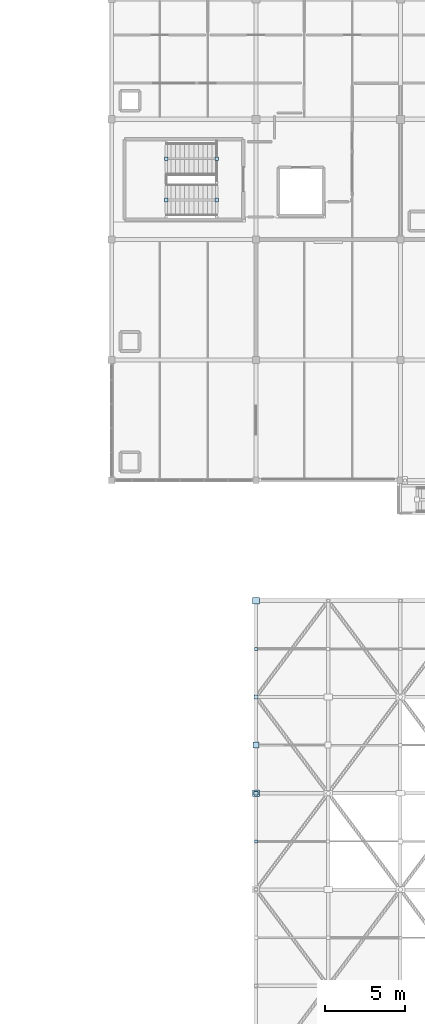
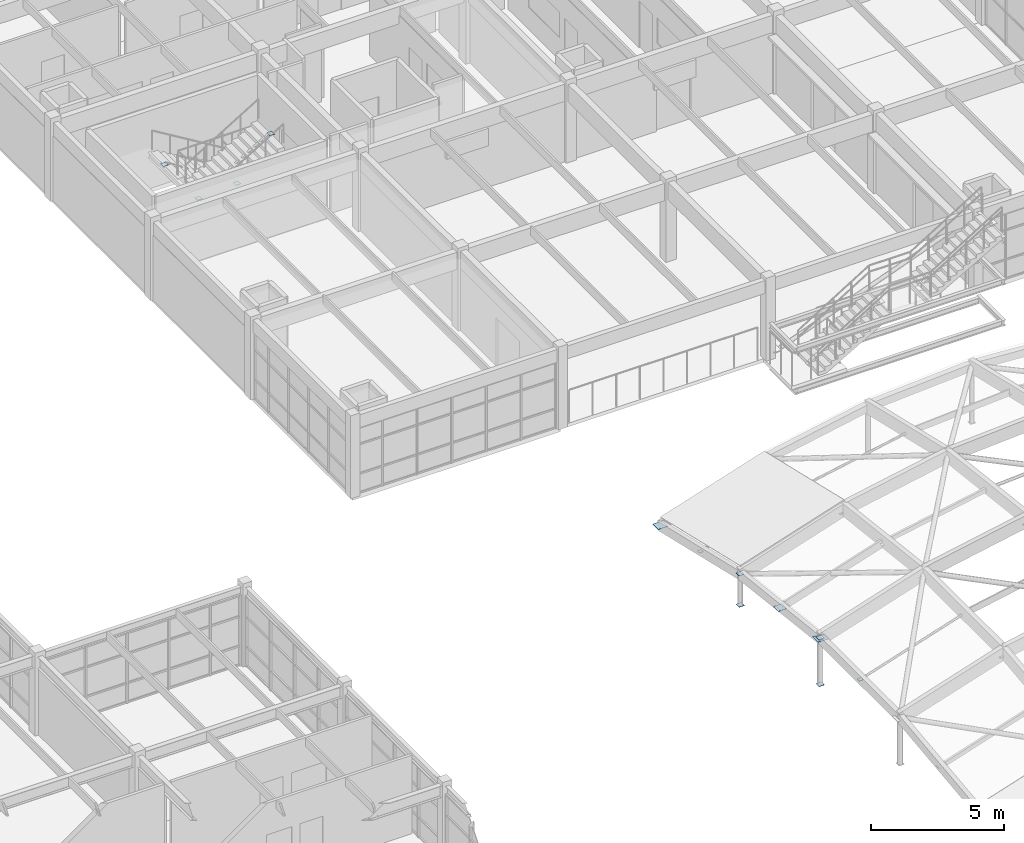
# One storey, part 63 of 81: 13 plates.
"""IFC4 building model written with IfcOpenShell, lengths in metres."""

import ifcopenshell
import ifcopenshell.guid

model = None  # the IFC model being written
_history = None  # IfcOwnerHistory: only IFC2X3 demands one
_inside = {}  # id of a spatial element -> (the spatial element, [elements in it])
_under = {}  # id of a project, library or spatial element -> (it, [spatial elements below it])
_declared = {}  # id of a project -> (the project, [libraries it declares])
_typed = {}  # id of a type object -> (the type object, [elements of that type])
_made_of = {}  # id of a material, layer set ... -> (it, [elements and type objects made of it])


def new_model(schema):
    """Start an empty IFC model of exactly this schema.

    Asked for "IFC4X3", IfcOpenShell would pick the latest addendum, in which some entities
    have other attributes; the version numbers below select the first issue.
    IFC2X3 requires an IfcOwnerHistory on every rooted entity: one is made here for all.
    """
    global model, _history
    if schema == "IFC4X3":
        model = ifcopenshell.file(schema_version=(4, 3, 0, 0))
    else:
        model = ifcopenshell.file(schema=schema)
    _inside.clear()
    _under.clear()
    _declared.clear()
    _typed.clear()
    _made_of.clear()
    _history = None
    if model.schema == "IFC2X3":
        org = make("IfcOrganization", Name="unknown")
        user = make(
            "IfcPersonAndOrganization",
            ThePerson=make("IfcPerson", FamilyName="unknown"),
            TheOrganization=org,
        )
        app = make(
            "IfcApplication",
            ApplicationDeveloper=org,
            Version="unknown",
            ApplicationFullName="unknown",
            ApplicationIdentifier="unknown",
        )
        _history = make(
            "IfcOwnerHistory",
            OwningUser=user,
            OwningApplication=app,
            ChangeAction="ADDED",
            CreationDate=0,
        )
    return model


def make(cls, **values):
    """One entity of the class cls with the attributes given. An attribute that is None is left unset."""
    return model.create_entity(
        cls, **{name: value for name, value in values.items() if value is not None}
    )


def rooted(cls, **values):
    """An entity with a GlobalId (a new one), such as an element, a storey or a relation."""
    return make(cls, GlobalId=ifcopenshell.guid.new(), OwnerHistory=_history, **values)


def si_unit(unit_type, name, prefix=None):
    """IfcSIUnit, for example si_unit("LENGTHUNIT", "METRE", prefix="MILLI")."""
    return make("IfcSIUnit", UnitType=unit_type, Prefix=prefix, Name=name)


def assignment(units):
    """IfcUnitAssignment: the units of a project."""
    return None if units is None else make("IfcUnitAssignment", Units=units)


def point(xyz):
    """IfcCartesianPoint."""
    return None if xyz is None else make("IfcCartesianPoint", Coordinates=xyz)


def direction(xyz):
    """IfcDirection."""
    return None if xyz is None else make("IfcDirection", DirectionRatios=xyz)


def frame(location, z_axis=None, x_axis=None):
    """IfcAxis2Placement3D, a coordinate frame: its origin and axes. An axis left out is left unset."""
    return make(
        "IfcAxis2Placement3D",
        Location=point(location),
        Axis=direction(z_axis),
        RefDirection=direction(x_axis),
    )


def frame_2d(location, x_axis=None):
    """IfcAxis2Placement2D, a coordinate frame in the plane: its origin and x axis."""
    return make(
        "IfcAxis2Placement2D", Location=point(location), RefDirection=direction(x_axis)
    )


def origin():
    """The frame at (0, 0, 0) with its axes left unset."""
    return frame((0.0, 0.0, 0.0))


def origin_2d():
    """The frame at (0, 0) in the plane with its x axis left unset."""
    return frame_2d((0.0, 0.0))


def place(relative_to, where):
    """IfcLocalPlacement: puts the frame where relative to a parent placement (None: the world)."""
    return make(
        "IfcLocalPlacement", PlacementRelTo=relative_to, RelativePlacement=where
    )


def context(
    kind, dimensions, precision=None, world=None, true_north=None, identifier=None
):
    """IfcGeometricRepresentationContext, for example the 3D "Model" context."""
    return make(
        "IfcGeometricRepresentationContext",
        ContextIdentifier=identifier,
        ContextType=kind,
        CoordinateSpaceDimension=dimensions,
        Precision=precision,
        WorldCoordinateSystem=world,
        TrueNorth=true_north,
    )


def subcontext(parent, identifier, kind, view, scale=None):
    """IfcGeometricRepresentationSubContext, for example "Body" below "Model"."""
    return make(
        "IfcGeometricRepresentationSubContext",
        ContextIdentifier=identifier,
        ContextType=kind,
        ParentContext=parent,
        TargetScale=scale,
        TargetView=view,
    )


def project(units=None, contexts=None):
    """IfcProject with its units and contexts."""
    return rooted(
        "IfcProject",
        Name="project",
        RepresentationContexts=contexts,
        UnitsInContext=assignment(units),
    )


def spatial(cls, under=None, at=None, **own):
    """A site, building, storey or space (cls), placed at a placement, below another one or the project."""
    s = rooted(cls, ObjectPlacement=at, **own)
    if under is not None:
        _under.setdefault(under.id(), (under, []))[1].append(s)
    return s


def profile(cls, at=None, kind="AREA", **sizes):
    """A parametric profile (cls). Its sizes go by their IFC names, for example OverallWidth=200.0."""
    return make(cls, ProfileType=kind, Position=at, **sizes)


def rectangle(**sizes):
    """IfcRectangleProfileDef."""
    return profile("IfcRectangleProfileDef", **sizes)


def extrude(swept, where, along, depth):
    """IfcExtrudedAreaSolid: the profile swept, set in the frame where, extruded along a direction by depth."""
    return make(
        "IfcExtrudedAreaSolid",
        SweptArea=swept,
        Position=where,
        ExtrudedDirection=direction(along),
        Depth=depth,
    )


def shape(context_of_items, identifier, shape_type, items):
    """IfcShapeRepresentation: the items that make up one representation, for example the "Body"."""
    return make(
        "IfcShapeRepresentation",
        ContextOfItems=context_of_items,
        RepresentationIdentifier=identifier,
        RepresentationType=shape_type,
        Items=items,
    )


def material(Name=None, Category=None):
    """IfcMaterial."""
    return make("IfcMaterial", Name=Name, Category=Category)


def layer(
    of_material, thickness, ventilated=None, Name=None, Category=None, Priority=None
):
    """IfcMaterialLayer: one layer of a wall or slab, of a material (None: an air gap)."""
    return make(
        "IfcMaterialLayer",
        Material=of_material,
        LayerThickness=thickness,
        IsVentilated=ventilated,
        Name=Name,
        Category=Category,
        Priority=Priority,
    )


def layer_set(layers, Name=None):
    """IfcMaterialLayerSet."""
    return make("IfcMaterialLayerSet", MaterialLayers=layers, LayerSetName=Name)


def made_of(thing, what):
    """Note that an element or type object is made of a material, layer set ...; save() writes the relation."""
    if what is not None:
        _made_of.setdefault(what.id(), (what, []))[1].append(thing)
    return thing


def type_object(cls, material=None, **own):
    """A type object (cls), such as IfcWallType, which elements share."""
    return made_of(rooted(cls, **own), material)


def element(
    cls,
    number,
    at=None,
    inside=None,
    cuts=None,
    type_object=None,
    material=None,
    context=None,
    identifier="Body",
    shape_type=None,
    held_by="IfcProductDefinitionShape",
    body=None,
    shapes=None,
    **own,
):
    """One element of the class cls, such as IfcWall. Its Tag is "e" and its number.

    at: its placement. inside: the storey or other place that contains it. cuts: it is an
    opening in that element (IfcRelVoidsElement). A single representation is given by context,
    identifier, shape_type and body (its items); several are given by shapes. held_by: the class
    of the entity that holds the representations. save() writes the other relations.
    """
    e = rooted(cls, Tag="e%d" % number, ObjectPlacement=at, **own)
    if body is not None:
        shapes = [shape(context, identifier, shape_type, body)]
    if shapes is not None:
        e.Representation = make(held_by, Representations=shapes)
    if inside is not None:
        _inside.setdefault(inside.id(), (inside, []))[1].append(e)
    if cuts is not None:
        rooted(
            "IfcRelVoidsElement", RelatingBuildingElement=cuts, RelatedOpeningElement=e
        )
    if type_object is not None:
        _typed.setdefault(type_object.id(), (type_object, []))[1].append(e)
    return made_of(e, material)


def aggregate(whole, parts):
    """IfcRelAggregates: a whole, such as a stair, and the parts it consists of."""
    return rooted("IfcRelAggregates", RelatingObject=whole, RelatedObjects=parts)


def save(model, path):
    """Write the relations noted so far, then the file.

    IfcRelAggregates (storeys below a building ...), IfcRelContainedInSpatialStructure (elements
    in a storey), IfcRelDefinesByType, IfcRelAssociatesMaterial and IfcRelDeclares: one each for
    every whole, place, type object, material and project.
    """
    for whole, parts in _under.values():
        aggregate(whole, parts)
    for where, things in _inside.values():
        rooted(
            "IfcRelContainedInSpatialStructure",
            RelatedElements=things,
            RelatingStructure=where,
        )
    for kind, things in _typed.values():
        rooted("IfcRelDefinesByType", RelatedObjects=things, RelatingType=kind)
    for what, things in _made_of.values():
        rooted("IfcRelAssociatesMaterial", RelatedObjects=things, RelatingMaterial=what)
    for by, libraries in _declared.values():
        rooted("IfcRelDeclares", RelatingContext=by, RelatedDefinitions=libraries)
    model.write(path)


model = new_model("IFC4")

# Units and contexts
model_context = context("Model", 3, precision=1e-05, world=origin(), true_north=direction((0.0, 1.0)))
body_context = subcontext(model_context, "Body", "Model", "MODEL_VIEW")
ifc_project = project(units=[si_unit("LENGTHUNIT", "METRE"), si_unit("AREAUNIT", "SQUARE_METRE"), si_unit("VOLUMEUNIT", "CUBIC_METRE"), si_unit("PLANEANGLEUNIT", "RADIAN"), si_unit("MASSUNIT", "GRAM", prefix="KILO")], contexts=[model_context])

# Site, building, storey
site_placement = place(None, origin())
site = spatial("IfcSite", under=ifc_project, at=site_placement, CompositionType="ELEMENT")
building_placement = place(site_placement, origin())
building = spatial("IfcBuilding", under=site, at=building_placement, Name="Marnridge Secondary College", CompositionType="ELEMENT")
storey_placement = place(building_placement, frame((0.0, 0.0, 8.5)))
storey = spatial("IfcBuildingStorey", under=building, at=storey_placement, Name="L02", CompositionType="ELEMENT", Elevation=8.5)

# Plates
ifc_material_1 = material(Name="Structural steel plate Grade 350 (AS/NZS 3678, fy = 350 MPa <=12mm, 340 MPa 12-20mm, 330 MPa 20-50mm)", Category="steel")
ifc_layer_1 = layer(ifc_material_1, 0.011962890625)
ifc_layer_set_1 = layer_set([ifc_layer_1], Name="PT-CAP-EXT")
plate_type_1 = type_object("IfcPlateType", Name="PT-CAP-EXT", PredefinedType="SHEET", material=ifc_layer_set_1)
for number, where, z_axis, x_axis, name in (
    (1, (63.0, 18.0, -0.01416015625), (0.0, 0.0, 1.0), (1.0, 0.0, 0.0), "Tube end cap GSP-0067-EC1"),
    (2, (63.0, 18.0, 2.1240234375), (0.0, 0.0, 1.0), (1.0, 0.0, 0.0), "Tube end cap GSP-0067-EC2"),
    (3, (63.0, 24.0, -0.01416015625), (0.0, 0.0, 1.0), (1.0, 0.0, 0.0), "Tube end cap GSP-0068-EC1"),
    (4, (63.0, 24.0, 1.419921875), (0.0, 0.0, 1.0), (1.0, 0.0, 0.0), "Tube end cap GSP-0068-EC2"),
):
    element("IfcPlate", number, at=place(storey_placement, frame(where, z_axis=z_axis, x_axis=x_axis)), inside=storey, type_object=plate_type_1, Name=name, PredefinedType="SHEET", context=body_context, shape_type="SweptSolid", body=[
        extrude(rectangle(XDim=0.239013671875, YDim=0.239013671875, at=origin_2d()), origin(), (0.0, 0.0, 1.0), 0.011962890625),
    ])
for number, where, z_axis, x_axis, name in (
    (5, (63.0, 17.998046875, 2.10595703125), (0.0, 0.0, 1.0), (0.0, 1.0, 0.0), "Tube end cap GR-0142-EC2"),
    (6, (63.0, 29.998046875, -0.00537109375), (0.0, 0.0, 1.0), (0.0, 1.0, 0.0), "Tube end cap GR-0144-EC2"),
):
    element("IfcPlate", number, at=place(storey_placement, frame(where, z_axis=z_axis, x_axis=x_axis)), inside=storey, type_object=plate_type_1, Name=name, PredefinedType="SHEET", context=body_context, shape_type="SweptSolid", body=[
        extrude(rectangle(XDim=0.419921875, YDim=0.419921875, at=origin_2d()), origin(), (0.0, 0.0, 1.0), 0.011962890625),
    ])
plate_1_placement = place(storey_placement, frame((63.001953125, 15.0, 2.02685546875), z_axis=(0.0, 0.0, 1.0), x_axis=(1.0, 0.0, 0.0)))
element("IfcPlate", 7, at=plate_1_placement, inside=storey, type_object=plate_type_1, Name="Tube end cap PR-0081-EC1", PredefinedType="SHEET", context=body_context, shape_type="SweptSolid", body=[
    extrude(rectangle(XDim=0.179931640625, YDim=0.179931640625, at=origin_2d()), origin(), (0.0, 0.0, 1.0), 0.011962890625),
])
plate_2_placement = place(storey_placement, frame((63.001953125, 21.0, 1.6748046875), z_axis=(0.0, 0.0, 1.0), x_axis=(1.0, 0.0, 0.0)))
element("IfcPlate", 8, at=plate_2_placement, inside=storey, type_object=plate_type_1, Name="Tube end cap PR-0082-EC1", PredefinedType="SHEET", context=body_context, shape_type="SweptSolid", body=[
    extrude(rectangle(XDim=0.3798828125, YDim=0.3798828125, at=origin_2d()), origin(), (0.0, 0.0, 1.0), 0.011962890625),
])
plate_3_placement = place(storey_placement, frame((63.001953125, 27.0, 0.61865234375), z_axis=(0.0, 0.0, 1.0), x_axis=(1.0, 0.0, 0.0)))
element("IfcPlate", 9, at=plate_3_placement, inside=storey, type_object=plate_type_1, Name="Tube end cap PR-0083-EC1", PredefinedType="SHEET", context=body_context, shape_type="SweptSolid", body=[
    extrude(rectangle(XDim=0.179931640625, YDim=0.179931640625, at=origin_2d()), origin(), (0.0, 0.0, 1.0), 0.011962890625),
])
ifc_material_2 = material(Name="Structural steel plate Grade 350 (AS/NZS 3678, fy = 350 MPa <=12mm, 340 MPa 12-20mm, 330 MPa 20-50mm)", Category="steel")
ifc_layer_2 = layer(ifc_material_2, 0.010009765625)
ifc_layer_set_2 = layer_set([ifc_layer_2], Name="PT-CAP-INT")
plate_type_2 = type_object("IfcPlateType", Name="PT-CAP-INT", PredefinedType="SHEET", material=ifc_layer_set_2)
for number, where, z_axis, x_axis, name in (
    (10, (60.54833984375, 57.530029296875, -0.171875), (0.0, 0.0, 1.0), (-1.0, 0.0, 0.0), "Tube end cap STR-005-EC1"),
    (11, (57.416748046875, 57.530029296875, 1.7861328125), (0.0, 0.0, 1.0), (-1.0, 0.0, 0.0), "Tube end cap STR-005-EC2"),
    (12, (57.416748046875, 54.969970703125, 1.7880859375), (0.0, 0.0, 1.0), (1.0, 0.0, 0.0), "Tube end cap STR-006-EC1"),
    (13, (60.54833984375, 54.969970703125, 3.65576171875), (0.0, 0.0, 1.0), (1.0, 0.0, 0.0), "Tube end cap STR-006-EC2"),
):
    element("IfcPlate", number, at=place(storey_placement, frame(where, z_axis=z_axis, x_axis=x_axis)), inside=storey, type_object=plate_type_2, Name=name, PredefinedType="SHEET", context=body_context, shape_type="SweptSolid", body=[
        extrude(rectangle(XDim=0.219970703125, YDim=0.219970703125, at=origin_2d()), origin(), (0.0, 0.0, 1.0), 0.010009765625),
    ])

save(model, "model.ifc")
